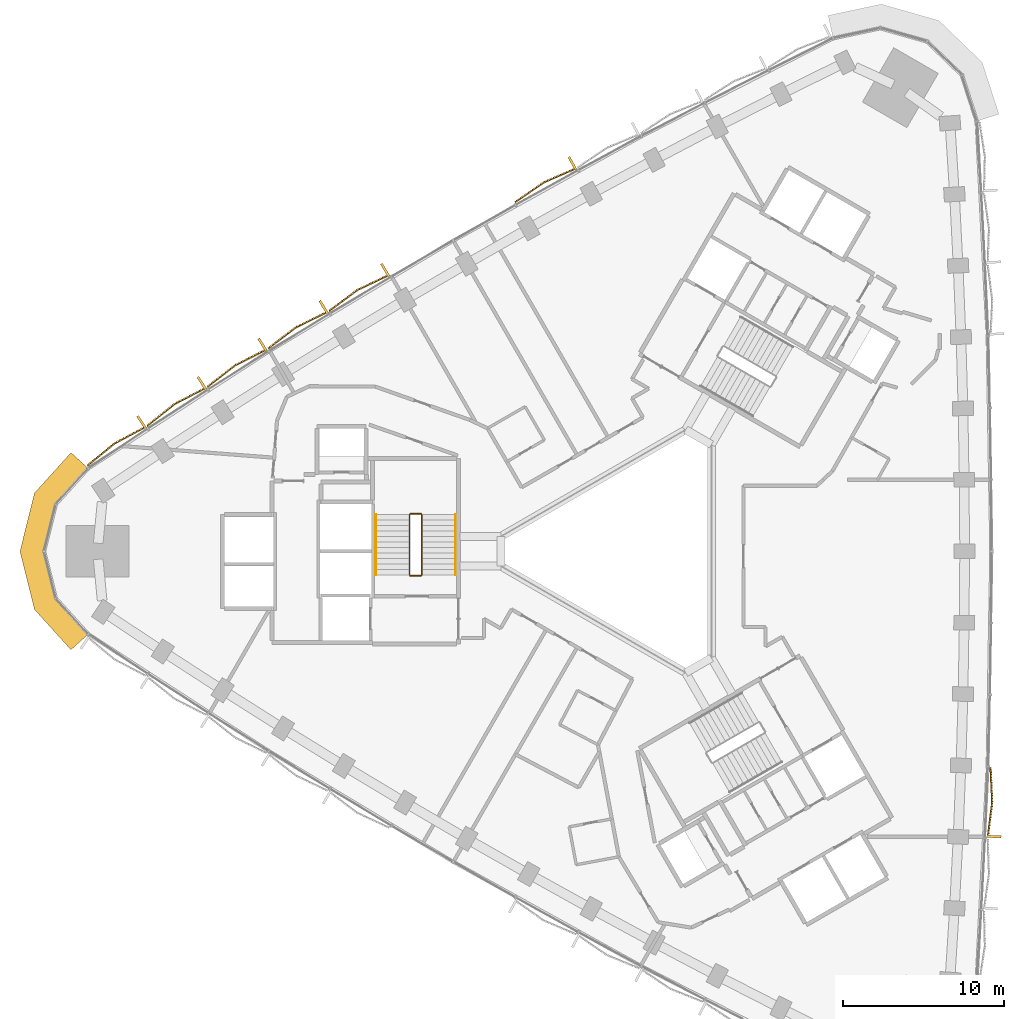
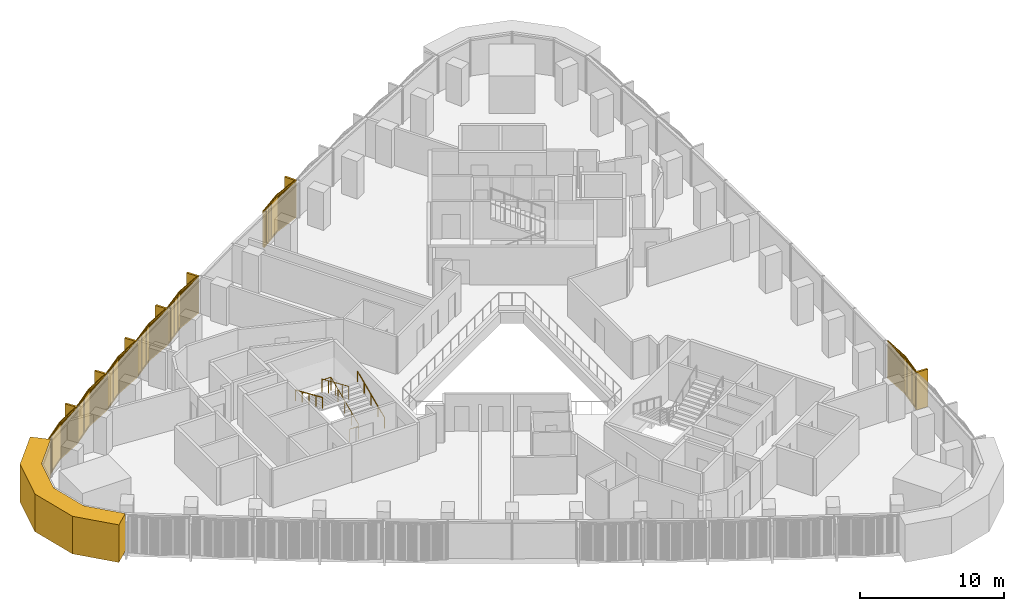
# One storey, part 13 of 15: 8 coverings, 3 railings.
"""IFC4 building model written with IfcOpenShell, lengths in metres."""

from ifc_helpers import new_model, si_unit, direction, frame, frame_2d, origin, origin_2d, place, context, subcontext, project, spatial, polyline, rectangle, circle, outline, extrude, source, transform, mapped, material, layer, layer_set, type_object, element, save


model = new_model("IFC4")

# Units and contexts
model_context = context("Model", 3, precision=1e-05, world=origin(), true_north=direction((0.0, 1.0)))
body_context = subcontext(model_context, "Body", "Model", "MODEL_VIEW")
ifc_project = project(units=[si_unit("LENGTHUNIT", "METRE"), si_unit("AREAUNIT", "SQUARE_METRE"), si_unit("VOLUMEUNIT", "CUBIC_METRE"), si_unit("PLANEANGLEUNIT", "RADIAN"), si_unit("MASSUNIT", "GRAM", prefix="KILO")], contexts=[model_context])

# Site, building, storey
site_placement = place(None, origin())
site = spatial("IfcSite", under=ifc_project, at=site_placement, CompositionType="ELEMENT")
building_placement = place(site_placement, origin())
building = spatial("IfcBuilding", under=site, at=building_placement, Name="Tamra Quay Hotel Tower", CompositionType="ELEMENT")
storey_placement = place(building_placement, frame((0.0, 0.0, 86.60009765625)))
storey = spatial("IfcBuildingStorey", under=building, at=storey_placement, Name="L20", CompositionType="ELEMENT", Elevation=86.60009765625)

# Covering
ifc_material_1 = material(Name="Precast concrete M60 terracotta-coloured", Category="masonry")
ifc_layer = layer(ifc_material_1, 1.449951171875)
ifc_layer_set = layer_set([ifc_layer], Name="CORNER PIER PANEL")
covering_type_1 = type_object("IfcCoveringType", Name="CORNER PIER PANEL", PredefinedType="CLADDING", material=ifc_layer_set)
covering_1_placement = place(storey_placement, origin())
element("IfcCovering", 1, at=covering_1_placement, inside=storey, type_object=covering_type_1, Name="Corner pier L20.north-west", PredefinedType="CLADDING", context=body_context, shape_type="SweptSolid", body=[
    extrude(outline(polyline([(-33.88525390625, 5.166015625), (-34.96142578125, 6.137451171875), (-37.2255859375, 3.62939453125), (-38.132080078125, 0.0), (-37.2255859375, -3.62939453125), (-34.96142578125, -6.137451171875), (-33.88525390625, -5.166015625), (-35.906494140625, -2.9267578125), (-36.6376953125, 0.0), (-35.906494140625, 2.9267578125), (-33.88525390625, 5.166015625)])), origin(), (0.0, 0.0, 1.0), 3.1748046875),
])

# Railings
ifc_material_2 = material(Name="Stair guard 1100")
railing_type_1 = type_object("IfcRailingType", Name="Stair guard 1100", PredefinedType="GUARDRAIL", material=ifc_material_2)
railing_1_placement = place(storey_placement, frame((-13.84130859375, -1.530029296875, 0.0)))
element("IfcRailing", 2, at=railing_1_placement, inside=storey, type_object=railing_type_1, Name="GR", PredefinedType="GUARDRAIL", context=body_context, shape_type="SweptSolid", body=[
    extrude(circle(Radius=0.02392578125, at=origin_2d()), frame((0.0, 0.0, 1.076171875), z_axis=(1.0, 0.0, 0.0), x_axis=(0.0, 1.0, 0.0)), (0.0, 0.0, 1.0), 0.658935546875),
    extrude(circle(Radius=0.02392578125, at=origin_2d()), frame((0.658935546875, 0.0, 1.076171875), z_axis=(0.301912943143, 0.301912943143, 0.904266083366), x_axis=(-0.707106781187, 0.707106781187, 0.0)), (0.0, 0.0, 1.0), 0.165771484375),
    extrude(circle(Radius=0.02392578125, at=origin_2d()), frame((0.708984375, 0.050048828125, 1.22607421875), z_axis=(0.0, 0.915795495799, 0.401644880304), x_axis=(-1.0, 0.0, 0.0)), (0.0, 0.0, 1.0), 4.10791015625),
    extrude(circle(Radius=0.02392578125, at=origin_2d()), frame((0.708984375, 3.81201171875, 2.8759765625), z_axis=(-0.708833529934, 0.705375805398, 0.0), x_axis=(-0.705375805398, -0.708833529934, 0.0)), (0.0, 0.0, 1.0), 0.070556640625),
    extrude(circle(Radius=0.02392578125, at=origin_2d()), frame((0.658935546875, 3.86181640625, 2.8759765625), z_axis=(-1.0, 0.0, 0.0), x_axis=(0.0, -1.0, 0.0)), (0.0, 0.0, 1.0), 0.658935546875),
    extrude(circle(Radius=0.02392578125, at=origin_2d()), frame((0.0, 3.86181640625, 2.8759765625), z_axis=(-0.301644814947, -0.300173376825, 0.904934444842), x_axis=(0.705375805398, -0.708833529934, 0.0)), (0.0, 0.0, 1.0), 0.166015625),
    extrude(circle(Radius=0.02392578125, at=origin_2d()), frame((-0.050048828125, 3.81201171875, 3.02587890625), z_axis=(0.0, -0.915795495799, 0.401644880304), x_axis=(1.0, 0.0, 0.0)), (0.0, 0.0, 1.0), 4.10791015625),
    extrude(circle(Radius=0.02099609375, at=origin_2d()), origin(), (0.0, 0.0, 1.0), 1.052001953125),
    extrude(circle(Radius=0.02099609375, at=origin_2d()), frame((0.658935546875, 0.0, 0.0)), (0.0, 0.0, 1.0), 1.052001953125),
    extrude(circle(Radius=0.02099609375, at=origin_2d()), frame((0.708984375, 0.050048828125, 0.14990234375)), (0.0, 0.0, 1.0), 1.052001953125),
    extrude(circle(Radius=0.02099609375, at=origin_2d()), frame((0.708984375, 0.990478515625, 0.5625)), (0.0, 0.0, 1.0), 1.052001953125),
    extrude(circle(Radius=0.02099609375, at=origin_2d()), frame((0.708984375, 1.93115234375, 0.974853515625)), (0.0, 0.0, 1.0), 1.052001953125),
    extrude(circle(Radius=0.02099609375, at=origin_2d()), frame((0.708984375, 2.87158203125, 1.38720703125)), (0.0, 0.0, 1.0), 1.052001953125),
    extrude(circle(Radius=0.02099609375, at=origin_2d()), frame((0.708984375, 3.81201171875, 1.7998046875)), (0.0, 0.0, 1.0), 1.052001953125),
    extrude(circle(Radius=0.02099609375, at=origin_2d()), frame((0.658935546875, 3.86181640625, 1.7998046875)), (0.0, 0.0, 1.0), 1.052001953125),
    extrude(circle(Radius=0.02099609375, at=origin_2d()), frame((0.0, 3.86181640625, 1.7998046875)), (0.0, 0.0, 1.0), 1.052001953125),
    extrude(circle(Radius=0.02099609375, at=origin_2d()), frame((-0.050048828125, 3.81201171875, 1.949951171875)), (0.0, 0.0, 1.0), 1.052001953125),
    extrude(circle(Radius=0.02099609375, at=origin_2d()), frame((-0.050048828125, 2.87158203125, 2.3623046875)), (0.0, 0.0, 1.0), 1.052001953125),
    extrude(circle(Radius=0.02099609375, at=origin_2d()), frame((-0.050048828125, 1.93115234375, 2.77490234375)), (0.0, 0.0, 1.0), 1.052001953125),
    extrude(circle(Radius=0.02099609375, at=origin_2d()), frame((-0.050048828125, 0.990478515625, 3.1875)), (0.0, 0.0, 1.0), 1.052001953125),
    extrude(circle(Radius=0.02099609375, at=origin_2d()), frame((-0.050048828125, 0.050048828125, 3.599853515625)), (0.0, 0.0, 1.0), 1.052001953125),
])
ifc_material_3 = material(Name="Stair handrail 900")
railing_type_2 = type_object("IfcRailingType", Name="Stair handrail 900", PredefinedType="HANDRAIL", material=ifc_material_3)
railing_2_placement = place(storey_placement, frame((-11.0322265625, -1.47998046875, 0.14990234375)))
element("IfcRailing", 3, at=railing_2_placement, inside=storey, type_object=railing_type_2, Name="HR", PredefinedType="HANDRAIL", context=body_context, shape_type="SweptSolid", body=[
    extrude(circle(Radius=0.02392578125, at=origin_2d()), frame((0.0, 0.0, 0.8759765625), z_axis=(0.0, 0.915795495799, 0.401644880304), x_axis=(-1.0, 0.0, 0.0)), (0.0, 0.0, 1.0), 4.10791015625),
    extrude(circle(Radius=0.02099609375, at=origin_2d()), origin(), (0.0, 0.0, 1.0), 0.851806640625),
    extrude(circle(Radius=0.02099609375, at=origin_2d()), frame((0.0, 0.9404296875, 0.41259765625)), (0.0, 0.0, 1.0), 0.851806640625),
    extrude(circle(Radius=0.02099609375, at=origin_2d()), frame((0.0, 1.880859375, 0.824951171875)), (0.0, 0.0, 1.0), 0.851806640625),
    extrude(circle(Radius=0.02099609375, at=origin_2d()), frame((0.0, 2.821533203125, 1.2373046875)), (0.0, 0.0, 1.0), 0.851806640625),
    extrude(circle(Radius=0.02099609375, at=origin_2d()), frame((0.0, 3.761962890625, 1.64990234375)), (0.0, 0.0, 1.0), 0.851806640625),
])
railing_3_placement = place(storey_placement, frame((-15.9912109375, 2.281982421875, 1.949951171875)))
element("IfcRailing", 4, at=railing_3_placement, inside=storey, type_object=railing_type_2, Name="HR", PredefinedType="HANDRAIL", context=body_context, shape_type="SweptSolid", body=[
    extrude(circle(Radius=0.02392578125, at=origin_2d()), frame((0.0, 0.0, 0.8759765625), z_axis=(0.0, -0.915795495799, 0.401644880304), x_axis=(1.0, 0.0, 0.0)), (0.0, 0.0, 1.0), 4.10791015625),
    extrude(circle(Radius=0.02099609375, at=origin_2d()), origin(), (0.0, 0.0, 1.0), 0.851806640625),
    extrude(circle(Radius=0.02099609375, at=origin_2d()), frame((0.0, -0.9404296875, 0.41259765625)), (0.0, 0.0, 1.0), 0.851806640625),
    extrude(circle(Radius=0.02099609375, at=origin_2d()), frame((0.0, -1.880859375, 0.824951171875)), (0.0, 0.0, 1.0), 0.851806640625),
    extrude(circle(Radius=0.02099609375, at=origin_2d()), frame((0.0, -2.821533203125, 1.2373046875)), (0.0, 0.0, 1.0), 0.851806640625),
    extrude(circle(Radius=0.02099609375, at=origin_2d()), frame((0.0, -3.761962890625, 1.64990234375)), (0.0, 0.0, 1.0), 0.851806640625),
])

# Coverings
ifc_material_4 = material(Name="Terracotta baguette extruded", Category="masonry")
covering_type_2 = type_object("IfcCoveringType", Name="BAGUETTE SCREEN E-V H3175", PredefinedType="USERDEFINED", material=ifc_material_4)
shared_shape_1 = source(origin(), body_context, "Body", "SweptSolid", [
    extrude(rectangle(XDim=2.200927734375, YDim=0.06005859375, at=frame_2d((1.1005859375, 0.030029296875))), frame((-2.19775390625, -0.057861328125, -0.1201171875), z_axis=(0.0, 0.0, 1.0), x_axis=(0.996194698092, -0.087155742748, 0.0)), (0.0, 0.0, 1.0), 0.1201171875),
    extrude(rectangle(XDim=2.200927734375, YDim=0.06005859375, at=frame_2d((1.1005859375, 0.030029296875))), frame((-2.19775390625, -0.057861328125, -3.175048828125), z_axis=(0.0, 0.0, 1.0), x_axis=(0.996194698092, -0.087155742748, 0.0)), (0.0, 0.0, 1.0), 0.1201171875),
    extrude(rectangle(XDim=0.070068359375, YDim=0.10009765625, at=frame_2d((0.03515625, 0.050048828125))), frame((-2.177734375, -0.13232421875, -3.114990234375)), (0.0, 0.0, 1.0), 3.054931640625),
    extrude(rectangle(XDim=0.070068359375, YDim=0.10009765625, at=frame_2d((0.03515625, 0.050048828125))), frame((-2.078125, -0.14111328125, -3.114990234375)), (0.0, 0.0, 1.0), 3.054931640625),
    extrude(rectangle(XDim=0.070068359375, YDim=0.10009765625, at=frame_2d((0.03515625, 0.050048828125))), frame((-1.978271484375, -0.14990234375, -3.114990234375)), (0.0, 0.0, 1.0), 3.054931640625),
    extrude(rectangle(XDim=0.070068359375, YDim=0.10009765625, at=frame_2d((0.03515625, 0.050048828125))), frame((-1.878662109375, -0.158447265625, -3.114990234375)), (0.0, 0.0, 1.0), 3.054931640625),
    extrude(rectangle(XDim=0.070068359375, YDim=0.10009765625, at=frame_2d((0.03515625, 0.050048828125))), frame((-1.779052734375, -0.167236328125, -3.114990234375)), (0.0, 0.0, 1.0), 3.054931640625),
    extrude(rectangle(XDim=0.070068359375, YDim=0.10009765625, at=frame_2d((0.03515625, 0.050048828125))), frame((-1.679443359375, -0.176025390625, -3.114990234375)), (0.0, 0.0, 1.0), 3.054931640625),
    extrude(rectangle(XDim=0.070068359375, YDim=0.10009765625, at=frame_2d((0.03515625, 0.050048828125))), frame((-1.579833984375, -0.1845703125, -3.114990234375)), (0.0, 0.0, 1.0), 3.054931640625),
    extrude(rectangle(XDim=0.070068359375, YDim=0.10009765625, at=frame_2d((0.03515625, 0.050048828125))), frame((-1.47998046875, -0.193359375, -3.114990234375)), (0.0, 0.0, 1.0), 3.054931640625),
    extrude(rectangle(XDim=0.070068359375, YDim=0.10009765625, at=frame_2d((0.03515625, 0.050048828125))), frame((-1.38037109375, -0.2021484375, -3.114990234375)), (0.0, 0.0, 1.0), 3.054931640625),
    extrude(rectangle(XDim=0.070068359375, YDim=0.10009765625, at=frame_2d((0.03515625, 0.050048828125))), frame((-1.28076171875, -0.2109375, -3.114990234375)), (0.0, 0.0, 1.0), 3.054931640625),
    extrude(rectangle(XDim=0.070068359375, YDim=0.10009765625, at=frame_2d((0.03515625, 0.050048828125))), frame((-1.18115234375, -0.219482421875, -3.114990234375)), (0.0, 0.0, 1.0), 3.054931640625),
    extrude(rectangle(XDim=0.070068359375, YDim=0.10009765625, at=frame_2d((0.03515625, 0.050048828125))), frame((-1.081298828125, -0.228271484375, -3.114990234375)), (0.0, 0.0, 1.0), 3.054931640625),
    extrude(rectangle(XDim=0.070068359375, YDim=0.10009765625, at=frame_2d((0.03515625, 0.050048828125))), frame((-0.981689453125, -0.237060546875, -3.114990234375)), (0.0, 0.0, 1.0), 3.054931640625),
    extrude(rectangle(XDim=0.070068359375, YDim=0.10009765625, at=frame_2d((0.03515625, 0.050048828125))), frame((-0.882080078125, -0.24560546875, -3.114990234375)), (0.0, 0.0, 1.0), 3.054931640625),
    extrude(rectangle(XDim=0.070068359375, YDim=0.10009765625, at=frame_2d((0.03515625, 0.050048828125))), frame((-0.782470703125, -0.25439453125, -3.114990234375)), (0.0, 0.0, 1.0), 3.054931640625),
    extrude(rectangle(XDim=0.070068359375, YDim=0.10009765625, at=frame_2d((0.03515625, 0.050048828125))), frame((-0.682861328125, -0.26318359375, -3.114990234375)), (0.0, 0.0, 1.0), 3.054931640625),
    extrude(rectangle(XDim=0.070068359375, YDim=0.10009765625, at=frame_2d((0.03515625, 0.050048828125))), frame((-0.583251953125, -0.27197265625, -3.114990234375)), (0.0, 0.0, 1.0), 3.054931640625),
    extrude(rectangle(XDim=0.070068359375, YDim=0.10009765625, at=frame_2d((0.03515625, 0.050048828125))), frame((-0.4833984375, -0.280517578125, -3.114990234375)), (0.0, 0.0, 1.0), 3.054931640625),
    extrude(rectangle(XDim=0.070068359375, YDim=0.10009765625, at=frame_2d((0.03515625, 0.050048828125))), frame((-0.3837890625, -0.289306640625, -3.114990234375)), (0.0, 0.0, 1.0), 3.054931640625),
    extrude(rectangle(XDim=0.070068359375, YDim=0.10009765625, at=frame_2d((0.03515625, 0.050048828125))), frame((-0.2841796875, -0.298095703125, -3.114990234375)), (0.0, 0.0, 1.0), 3.054931640625),
    extrude(rectangle(XDim=0.070068359375, YDim=0.10009765625, at=frame_2d((0.03515625, 0.050048828125))), frame((-0.1845703125, -0.306640625, -3.114990234375)), (0.0, 0.0, 1.0), 3.054931640625),
    extrude(rectangle(XDim=0.070068359375, YDim=0.10009765625, at=frame_2d((0.03515625, 0.050048828125))), frame((-0.084716796875, -0.3154296875, -3.114990234375)), (0.0, 0.0, 1.0), 3.054931640625),
    extrude(rectangle(XDim=2.200927734375, YDim=0.06005859375, at=frame_2d((1.1005859375, 0.030029296875))), frame((0.005126953125, -0.24951171875, -0.1201171875), z_axis=(0.0, 0.0, 1.0), x_axis=(0.996194698092, 0.087155742748, 0.0)), (0.0, 0.0, 1.0), 0.1201171875),
    extrude(rectangle(XDim=2.200927734375, YDim=0.06005859375, at=frame_2d((1.1005859375, 0.030029296875))), frame((0.005126953125, -0.24951171875, -3.175048828125), z_axis=(0.0, 0.0, 1.0), x_axis=(0.996194698092, 0.087155742748, 0.0)), (0.0, 0.0, 1.0), 0.1201171875),
    extrude(rectangle(XDim=0.070068359375, YDim=0.10009765625, at=frame_2d((0.03515625, 0.050048828125))), frame((0.014892578125, -0.3154296875, -3.114990234375)), (0.0, 0.0, 1.0), 3.054931640625),
    extrude(rectangle(XDim=0.070068359375, YDim=0.10009765625, at=frame_2d((0.03515625, 0.050048828125))), frame((0.114501953125, -0.306640625, -3.114990234375)), (0.0, 0.0, 1.0), 3.054931640625),
    extrude(rectangle(XDim=0.070068359375, YDim=0.10009765625, at=frame_2d((0.03515625, 0.050048828125))), frame((0.214111328125, -0.298095703125, -3.114990234375)), (0.0, 0.0, 1.0), 3.054931640625),
    extrude(rectangle(XDim=0.070068359375, YDim=0.10009765625, at=frame_2d((0.03515625, 0.050048828125))), frame((0.313720703125, -0.289306640625, -3.114990234375)), (0.0, 0.0, 1.0), 3.054931640625),
    extrude(rectangle(XDim=0.070068359375, YDim=0.10009765625, at=frame_2d((0.03515625, 0.050048828125))), frame((0.41357421875, -0.280517578125, -3.114990234375)), (0.0, 0.0, 1.0), 3.054931640625),
    extrude(rectangle(XDim=0.070068359375, YDim=0.10009765625, at=frame_2d((0.03515625, 0.050048828125))), frame((0.51318359375, -0.27197265625, -3.114990234375)), (0.0, 0.0, 1.0), 3.054931640625),
    extrude(rectangle(XDim=0.070068359375, YDim=0.10009765625, at=frame_2d((0.03515625, 0.050048828125))), frame((0.61279296875, -0.26318359375, -3.114990234375)), (0.0, 0.0, 1.0), 3.054931640625),
    extrude(rectangle(XDim=0.070068359375, YDim=0.10009765625, at=frame_2d((0.03515625, 0.050048828125))), frame((0.71240234375, -0.25439453125, -3.114990234375)), (0.0, 0.0, 1.0), 3.054931640625),
    extrude(rectangle(XDim=0.070068359375, YDim=0.10009765625, at=frame_2d((0.03515625, 0.050048828125))), frame((0.81201171875, -0.24560546875, -3.114990234375)), (0.0, 0.0, 1.0), 3.054931640625),
    extrude(rectangle(XDim=0.070068359375, YDim=0.10009765625, at=frame_2d((0.03515625, 0.050048828125))), frame((0.911865234375, -0.237060546875, -3.114990234375)), (0.0, 0.0, 1.0), 3.054931640625),
    extrude(rectangle(XDim=0.070068359375, YDim=0.10009765625, at=frame_2d((0.03515625, 0.050048828125))), frame((1.011474609375, -0.228271484375, -3.114990234375)), (0.0, 0.0, 1.0), 3.054931640625),
    extrude(rectangle(XDim=0.070068359375, YDim=0.10009765625, at=frame_2d((0.03515625, 0.050048828125))), frame((1.111083984375, -0.219482421875, -3.114990234375)), (0.0, 0.0, 1.0), 3.054931640625),
    extrude(rectangle(XDim=0.070068359375, YDim=0.10009765625, at=frame_2d((0.03515625, 0.050048828125))), frame((1.210693359375, -0.2109375, -3.114990234375)), (0.0, 0.0, 1.0), 3.054931640625),
    extrude(rectangle(XDim=0.070068359375, YDim=0.10009765625, at=frame_2d((0.03515625, 0.050048828125))), frame((1.310302734375, -0.2021484375, -3.114990234375)), (0.0, 0.0, 1.0), 3.054931640625),
    extrude(rectangle(XDim=0.070068359375, YDim=0.10009765625, at=frame_2d((0.03515625, 0.050048828125))), frame((1.41015625, -0.193359375, -3.114990234375)), (0.0, 0.0, 1.0), 3.054931640625),
    extrude(rectangle(XDim=0.070068359375, YDim=0.10009765625, at=frame_2d((0.03515625, 0.050048828125))), frame((1.509765625, -0.1845703125, -3.114990234375)), (0.0, 0.0, 1.0), 3.054931640625),
    extrude(rectangle(XDim=0.070068359375, YDim=0.10009765625, at=frame_2d((0.03515625, 0.050048828125))), frame((1.609375, -0.176025390625, -3.114990234375)), (0.0, 0.0, 1.0), 3.054931640625),
    extrude(rectangle(XDim=0.070068359375, YDim=0.10009765625, at=frame_2d((0.03515625, 0.050048828125))), frame((1.708984375, -0.167236328125, -3.114990234375)), (0.0, 0.0, 1.0), 3.054931640625),
    extrude(rectangle(XDim=0.070068359375, YDim=0.10009765625, at=frame_2d((0.03515625, 0.050048828125))), frame((1.80859375, -0.158447265625, -3.114990234375)), (0.0, 0.0, 1.0), 3.054931640625),
    extrude(rectangle(XDim=0.070068359375, YDim=0.10009765625, at=frame_2d((0.03515625, 0.050048828125))), frame((1.908447265625, -0.14990234375, -3.114990234375)), (0.0, 0.0, 1.0), 3.054931640625),
    extrude(rectangle(XDim=0.070068359375, YDim=0.10009765625, at=frame_2d((0.03515625, 0.050048828125))), frame((2.008056640625, -0.14111328125, -3.114990234375)), (0.0, 0.0, 1.0), 3.054931640625),
    extrude(rectangle(XDim=0.070068359375, YDim=0.10009765625, at=frame_2d((0.03515625, 0.050048828125))), frame((2.107666015625, -0.13232421875, -3.114990234375)), (0.0, 0.0, 1.0), 3.054931640625),
    extrude(rectangle(XDim=0.14990234375, YDim=0.902099609375, at=frame_2d((0.074951171875, 0.451171875))), frame((-2.1923828125, -0.89990234375, -3.175048828125)), (0.0, 0.0, 1.0), 3.175048828125),
])
covering_2_placement = place(storey_placement, frame((22.122314453125, -15.623779296875, 3.1748046875), z_axis=(0.0, 0.0, 1.0), x_axis=(0.039943755239, 0.999201929751, 0.0)))
element("IfcCovering", 5, at=covering_2_placement, inside=storey, type_object=covering_type_2, Name="Baguette screen L20.E.f02", ObjectType="BAGUETTE SCREEN", PredefinedType="USERDEFINED", context=body_context, shape_type="MappedRepresentation", body=[
    mapped(shared_shape_1, transform((0.0, 0.0, 0.0), scale=1.0)),
])
covering_type_3 = type_object("IfcCoveringType", Name="BAGUETTE SCREEN NW-V H3175", PredefinedType="USERDEFINED", material=ifc_material_4)
shared_shape_2 = source(origin(), body_context, "Body", "SweptSolid", [
    extrude(rectangle(XDim=2.20263671875, YDim=0.06005859375, at=frame_2d((1.101318359375, 0.030029296875))), frame((-2.1982421875, -0.0576171875, -0.1201171875), z_axis=(0.0, 0.0, 1.0), x_axis=(0.995396198367, -0.09584575252, 0.0)), (0.0, 0.0, 1.0), 0.1201171875),
    extrude(rectangle(XDim=2.20263671875, YDim=0.06005859375, at=frame_2d((1.101318359375, 0.030029296875))), frame((-2.1982421875, -0.0576171875, -3.175048828125), z_axis=(0.0, 0.0, 1.0), x_axis=(0.995396198367, -0.09584575252, 0.0)), (0.0, 0.0, 1.0), 0.1201171875),
    extrude(rectangle(XDim=0.070068359375, YDim=0.10009765625, at=frame_2d((0.03515625, 0.050048828125))), frame((-2.177734375, -0.1328125, -3.114990234375)), (0.0, 0.0, 1.0), 3.054931640625),
    extrude(rectangle(XDim=0.070068359375, YDim=0.10009765625, at=frame_2d((0.03515625, 0.050048828125))), frame((-2.078125, -0.142333984375, -3.114990234375)), (0.0, 0.0, 1.0), 3.054931640625),
    extrude(rectangle(XDim=0.070068359375, YDim=0.10009765625, at=frame_2d((0.03515625, 0.050048828125))), frame((-1.978271484375, -0.152099609375, -3.114990234375)), (0.0, 0.0, 1.0), 3.054931640625),
    extrude(rectangle(XDim=0.070068359375, YDim=0.10009765625, at=frame_2d((0.03515625, 0.050048828125))), frame((-1.878662109375, -0.16162109375, -3.114990234375)), (0.0, 0.0, 1.0), 3.054931640625),
    extrude(rectangle(XDim=0.070068359375, YDim=0.10009765625, at=frame_2d((0.03515625, 0.050048828125))), frame((-1.779052734375, -0.171142578125, -3.114990234375)), (0.0, 0.0, 1.0), 3.054931640625),
    extrude(rectangle(XDim=0.070068359375, YDim=0.10009765625, at=frame_2d((0.03515625, 0.050048828125))), frame((-1.679443359375, -0.1806640625, -3.114990234375)), (0.0, 0.0, 1.0), 3.054931640625),
    extrude(rectangle(XDim=0.070068359375, YDim=0.10009765625, at=frame_2d((0.03515625, 0.050048828125))), frame((-1.579833984375, -0.1904296875, -3.114990234375)), (0.0, 0.0, 1.0), 3.054931640625),
    extrude(rectangle(XDim=0.070068359375, YDim=0.10009765625, at=frame_2d((0.03515625, 0.050048828125))), frame((-1.47998046875, -0.199951171875, -3.114990234375)), (0.0, 0.0, 1.0), 3.054931640625),
    extrude(rectangle(XDim=0.070068359375, YDim=0.10009765625, at=frame_2d((0.03515625, 0.050048828125))), frame((-1.38037109375, -0.20947265625, -3.114990234375)), (0.0, 0.0, 1.0), 3.054931640625),
    extrude(rectangle(XDim=0.070068359375, YDim=0.10009765625, at=frame_2d((0.03515625, 0.050048828125))), frame((-1.28076171875, -0.21923828125, -3.114990234375)), (0.0, 0.0, 1.0), 3.054931640625),
    extrude(rectangle(XDim=0.070068359375, YDim=0.10009765625, at=frame_2d((0.03515625, 0.050048828125))), frame((-1.18115234375, -0.228759765625, -3.114990234375)), (0.0, 0.0, 1.0), 3.054931640625),
    extrude(rectangle(XDim=0.070068359375, YDim=0.10009765625, at=frame_2d((0.03515625, 0.050048828125))), frame((-1.081298828125, -0.23828125, -3.114990234375)), (0.0, 0.0, 1.0), 3.054931640625),
    extrude(rectangle(XDim=0.070068359375, YDim=0.10009765625, at=frame_2d((0.03515625, 0.050048828125))), frame((-0.981689453125, -0.248046875, -3.114990234375)), (0.0, 0.0, 1.0), 3.054931640625),
    extrude(rectangle(XDim=0.070068359375, YDim=0.10009765625, at=frame_2d((0.03515625, 0.050048828125))), frame((-0.882080078125, -0.257568359375, -3.114990234375)), (0.0, 0.0, 1.0), 3.054931640625),
    extrude(rectangle(XDim=0.070068359375, YDim=0.10009765625, at=frame_2d((0.03515625, 0.050048828125))), frame((-0.782470703125, -0.26708984375, -3.114990234375)), (0.0, 0.0, 1.0), 3.054931640625),
    extrude(rectangle(XDim=0.070068359375, YDim=0.10009765625, at=frame_2d((0.03515625, 0.050048828125))), frame((-0.682861328125, -0.27685546875, -3.114990234375)), (0.0, 0.0, 1.0), 3.054931640625),
    extrude(rectangle(XDim=0.070068359375, YDim=0.10009765625, at=frame_2d((0.03515625, 0.050048828125))), frame((-0.583251953125, -0.286376953125, -3.114990234375)), (0.0, 0.0, 1.0), 3.054931640625),
    extrude(rectangle(XDim=0.070068359375, YDim=0.10009765625, at=frame_2d((0.03515625, 0.050048828125))), frame((-0.4833984375, -0.2958984375, -3.114990234375)), (0.0, 0.0, 1.0), 3.054931640625),
    extrude(rectangle(XDim=0.070068359375, YDim=0.10009765625, at=frame_2d((0.03515625, 0.050048828125))), frame((-0.3837890625, -0.305419921875, -3.114990234375)), (0.0, 0.0, 1.0), 3.054931640625),
    extrude(rectangle(XDim=0.070068359375, YDim=0.10009765625, at=frame_2d((0.03515625, 0.050048828125))), frame((-0.2841796875, -0.315185546875, -3.114990234375)), (0.0, 0.0, 1.0), 3.054931640625),
    extrude(rectangle(XDim=0.070068359375, YDim=0.10009765625, at=frame_2d((0.03515625, 0.050048828125))), frame((-0.1845703125, -0.32470703125, -3.114990234375)), (0.0, 0.0, 1.0), 3.054931640625),
    extrude(rectangle(XDim=0.070068359375, YDim=0.10009765625, at=frame_2d((0.03515625, 0.050048828125))), frame((-0.084716796875, -0.334228515625, -3.114990234375)), (0.0, 0.0, 1.0), 3.054931640625),
    extrude(rectangle(XDim=2.20263671875, YDim=0.06005859375, at=frame_2d((1.101318359375, 0.030029296875))), frame((0.005859375, -0.268798828125, -0.1201171875), z_axis=(0.0, 0.0, 1.0), x_axis=(0.995396198367, 0.09584575252, 0.0)), (0.0, 0.0, 1.0), 0.1201171875),
    extrude(rectangle(XDim=2.20263671875, YDim=0.06005859375, at=frame_2d((1.101318359375, 0.030029296875))), frame((0.005859375, -0.268798828125, -3.175048828125), z_axis=(0.0, 0.0, 1.0), x_axis=(0.995396198367, 0.09584575252, 0.0)), (0.0, 0.0, 1.0), 0.1201171875),
    extrude(rectangle(XDim=0.070068359375, YDim=0.10009765625, at=frame_2d((0.03515625, 0.050048828125))), frame((0.014892578125, -0.334228515625, -3.114990234375)), (0.0, 0.0, 1.0), 3.054931640625),
    extrude(rectangle(XDim=0.070068359375, YDim=0.10009765625, at=frame_2d((0.03515625, 0.050048828125))), frame((0.114501953125, -0.32470703125, -3.114990234375)), (0.0, 0.0, 1.0), 3.054931640625),
    extrude(rectangle(XDim=0.070068359375, YDim=0.10009765625, at=frame_2d((0.03515625, 0.050048828125))), frame((0.214111328125, -0.315185546875, -3.114990234375)), (0.0, 0.0, 1.0), 3.054931640625),
    extrude(rectangle(XDim=0.070068359375, YDim=0.10009765625, at=frame_2d((0.03515625, 0.050048828125))), frame((0.313720703125, -0.305419921875, -3.114990234375)), (0.0, 0.0, 1.0), 3.054931640625),
    extrude(rectangle(XDim=0.070068359375, YDim=0.10009765625, at=frame_2d((0.03515625, 0.050048828125))), frame((0.41357421875, -0.2958984375, -3.114990234375)), (0.0, 0.0, 1.0), 3.054931640625),
    extrude(rectangle(XDim=0.070068359375, YDim=0.10009765625, at=frame_2d((0.03515625, 0.050048828125))), frame((0.51318359375, -0.286376953125, -3.114990234375)), (0.0, 0.0, 1.0), 3.054931640625),
    extrude(rectangle(XDim=0.070068359375, YDim=0.10009765625, at=frame_2d((0.03515625, 0.050048828125))), frame((0.61279296875, -0.27685546875, -3.114990234375)), (0.0, 0.0, 1.0), 3.054931640625),
    extrude(rectangle(XDim=0.070068359375, YDim=0.10009765625, at=frame_2d((0.03515625, 0.050048828125))), frame((0.71240234375, -0.26708984375, -3.114990234375)), (0.0, 0.0, 1.0), 3.054931640625),
    extrude(rectangle(XDim=0.070068359375, YDim=0.10009765625, at=frame_2d((0.03515625, 0.050048828125))), frame((0.81201171875, -0.257568359375, -3.114990234375)), (0.0, 0.0, 1.0), 3.054931640625),
    extrude(rectangle(XDim=0.070068359375, YDim=0.10009765625, at=frame_2d((0.03515625, 0.050048828125))), frame((0.911865234375, -0.248046875, -3.114990234375)), (0.0, 0.0, 1.0), 3.054931640625),
    extrude(rectangle(XDim=0.070068359375, YDim=0.10009765625, at=frame_2d((0.03515625, 0.050048828125))), frame((1.011474609375, -0.23828125, -3.114990234375)), (0.0, 0.0, 1.0), 3.054931640625),
    extrude(rectangle(XDim=0.070068359375, YDim=0.10009765625, at=frame_2d((0.03515625, 0.050048828125))), frame((1.111083984375, -0.228759765625, -3.114990234375)), (0.0, 0.0, 1.0), 3.054931640625),
    extrude(rectangle(XDim=0.070068359375, YDim=0.10009765625, at=frame_2d((0.03515625, 0.050048828125))), frame((1.210693359375, -0.21923828125, -3.114990234375)), (0.0, 0.0, 1.0), 3.054931640625),
    extrude(rectangle(XDim=0.070068359375, YDim=0.10009765625, at=frame_2d((0.03515625, 0.050048828125))), frame((1.310302734375, -0.20947265625, -3.114990234375)), (0.0, 0.0, 1.0), 3.054931640625),
    extrude(rectangle(XDim=0.070068359375, YDim=0.10009765625, at=frame_2d((0.03515625, 0.050048828125))), frame((1.41015625, -0.199951171875, -3.114990234375)), (0.0, 0.0, 1.0), 3.054931640625),
    extrude(rectangle(XDim=0.070068359375, YDim=0.10009765625, at=frame_2d((0.03515625, 0.050048828125))), frame((1.509765625, -0.1904296875, -3.114990234375)), (0.0, 0.0, 1.0), 3.054931640625),
    extrude(rectangle(XDim=0.070068359375, YDim=0.10009765625, at=frame_2d((0.03515625, 0.050048828125))), frame((1.609375, -0.1806640625, -3.114990234375)), (0.0, 0.0, 1.0), 3.054931640625),
    extrude(rectangle(XDim=0.070068359375, YDim=0.10009765625, at=frame_2d((0.03515625, 0.050048828125))), frame((1.708984375, -0.171142578125, -3.114990234375)), (0.0, 0.0, 1.0), 3.054931640625),
    extrude(rectangle(XDim=0.070068359375, YDim=0.10009765625, at=frame_2d((0.03515625, 0.050048828125))), frame((1.80859375, -0.16162109375, -3.114990234375)), (0.0, 0.0, 1.0), 3.054931640625),
    extrude(rectangle(XDim=0.070068359375, YDim=0.10009765625, at=frame_2d((0.03515625, 0.050048828125))), frame((1.908447265625, -0.152099609375, -3.114990234375)), (0.0, 0.0, 1.0), 3.054931640625),
    extrude(rectangle(XDim=0.070068359375, YDim=0.10009765625, at=frame_2d((0.03515625, 0.050048828125))), frame((2.008056640625, -0.142333984375, -3.114990234375)), (0.0, 0.0, 1.0), 3.054931640625),
    extrude(rectangle(XDim=0.070068359375, YDim=0.10009765625, at=frame_2d((0.03515625, 0.050048828125))), frame((2.107666015625, -0.1328125, -3.114990234375)), (0.0, 0.0, 1.0), 3.054931640625),
    extrude(rectangle(XDim=0.14990234375, YDim=0.902099609375, at=frame_2d((0.074951171875, 0.451171875))), frame((-2.1923828125, -0.89990234375, -3.175048828125)), (0.0, 0.0, 1.0), 3.175048828125),
])
for number, where, z_axis, x_axis, name in (
    (6, (-5.388427734375, 22.72802734375, 3.1748046875), (0.0, 0.0, 1.0), (-0.874465225024, -0.485088208704, 0.0), "Baguette screen L20.NW.f04"),
    (7, (-16.98876953125, 16.030517578125, 3.1748046875), (0.0, 0.0, 1.0), (-0.857331324326, -0.514764995245, 0.0), "Baguette screen L20.NW.f07"),
    (8, (-20.8037109375, 13.710205078125, 3.1748046875), (0.0, 0.0, 1.0), (-0.85139935569, -0.524518004582, 0.0), "Baguette screen L20.NW.f08"),
    (9, (-24.591796875, 11.346435546875, 3.1748046875), (0.0, 0.0, 1.0), (-0.845362377055, -0.534193271635, 0.0), "Baguette screen L20.NW.f09"),
    (10, (-28.352783203125, 8.93994140625, 3.1748046875), (0.0, 0.0, 1.0), (-0.839223908048, -0.543786016885, 0.0), "Baguette screen L20.NW.f10"),
    (11, (-32.0859375, 6.49072265625, 3.1748046875), (0.0, 0.0, 1.0), (-0.832988002122, -0.553291052088, 0.0), "Baguette screen L20.NW.f11"),
):
    element("IfcCovering", number, at=place(storey_placement, frame(where, z_axis=z_axis, x_axis=x_axis)), inside=storey, type_object=covering_type_3, Name=name, ObjectType="BAGUETTE SCREEN", PredefinedType="USERDEFINED", context=body_context, shape_type="MappedRepresentation", body=[
        mapped(shared_shape_2, transform((0.0, 0.0, 0.0), scale=1.0)),
    ])

save(model, "model.ifc")
